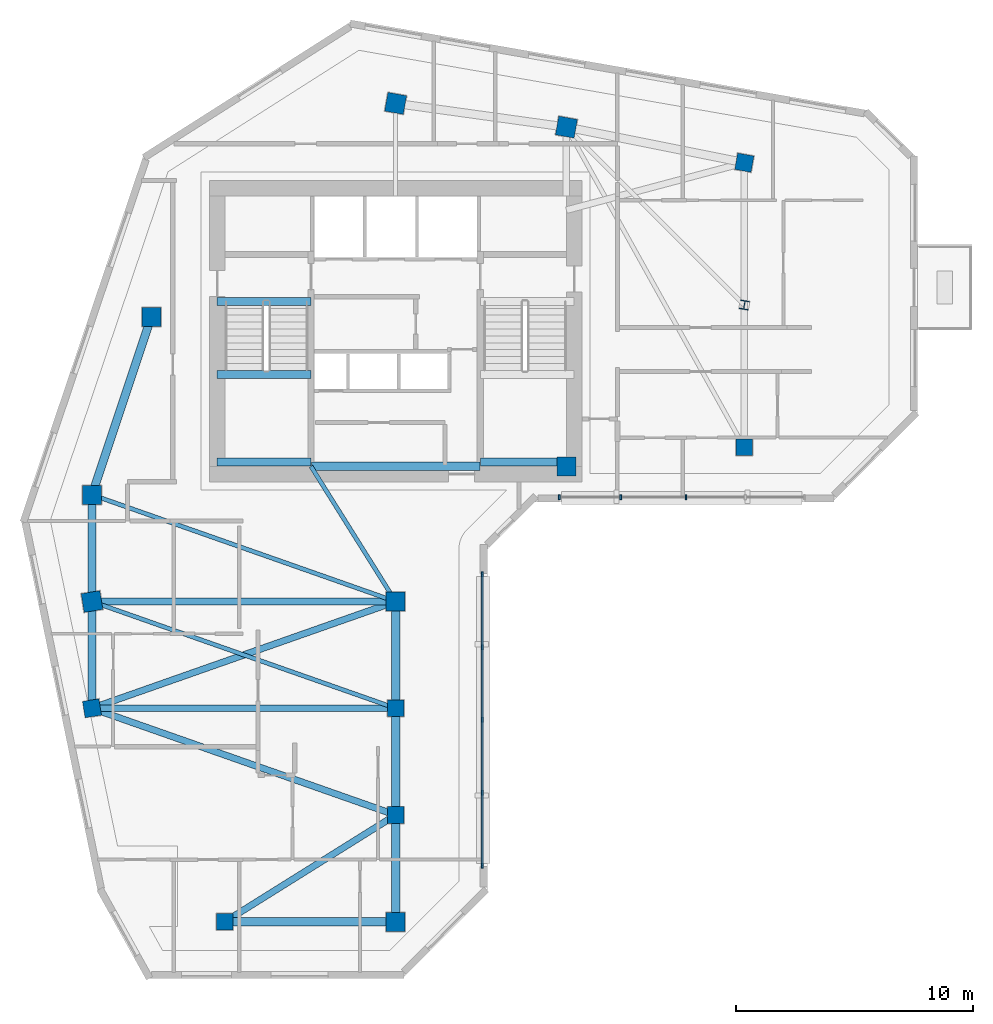
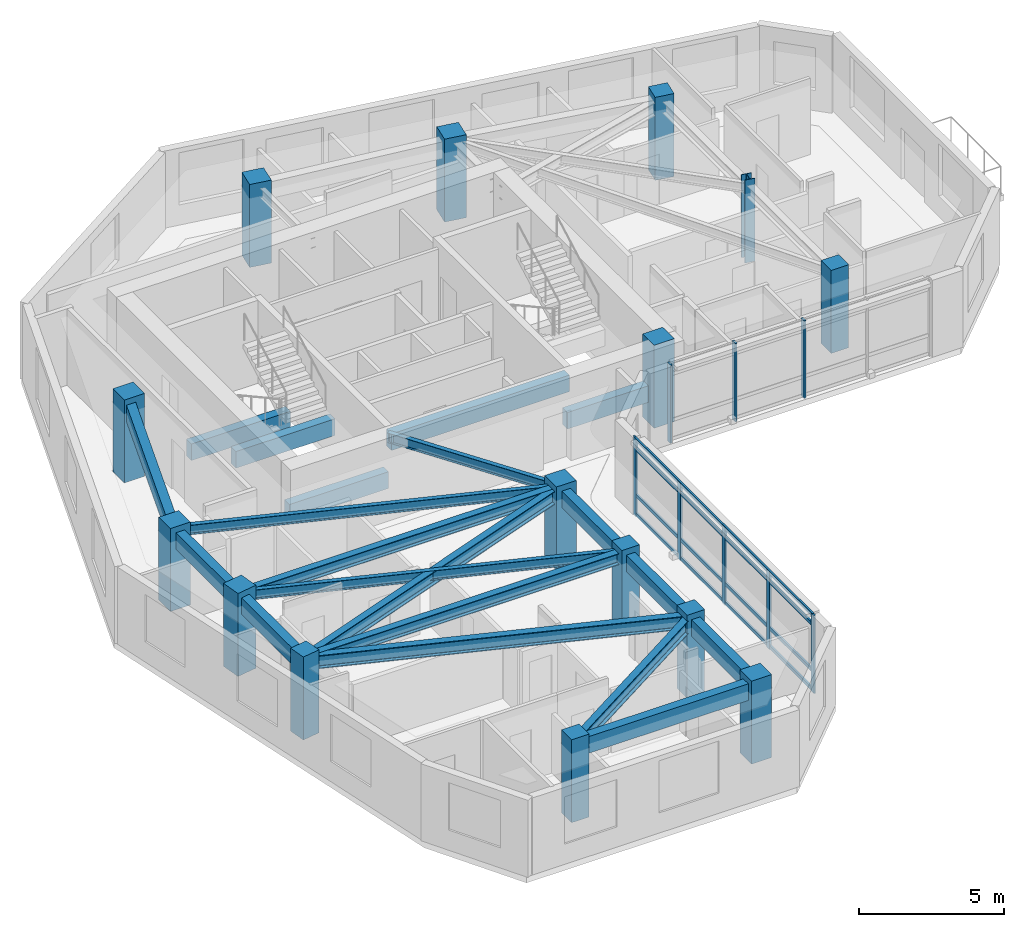
# One storey, part 1 of 10: 20 beams, 15 columns, 12 members, 2 elements without a shape of their own.
"""IFC4 building model written with IfcOpenShell, lengths in metres."""

import ifcopenshell
import ifcopenshell.guid

model = None  # the IFC model being written
_history = None  # IfcOwnerHistory: only IFC2X3 demands one
_inside = {}  # id of a spatial element -> (the spatial element, [elements in it])
_under = {}  # id of a project, library or spatial element -> (it, [spatial elements below it])
_declared = {}  # id of a project -> (the project, [libraries it declares])
_typed = {}  # id of a type object -> (the type object, [elements of that type])
_made_of = {}  # id of a material, layer set ... -> (it, [elements and type objects made of it])


def new_model(schema):
    """Start an empty IFC model of exactly this schema.

    Asked for "IFC4X3", IfcOpenShell would pick the latest addendum, in which some entities
    have other attributes; the version numbers below select the first issue.
    IFC2X3 requires an IfcOwnerHistory on every rooted entity: one is made here for all.
    """
    global model, _history
    if schema == "IFC4X3":
        model = ifcopenshell.file(schema_version=(4, 3, 0, 0))
    else:
        model = ifcopenshell.file(schema=schema)
    _inside.clear()
    _under.clear()
    _declared.clear()
    _typed.clear()
    _made_of.clear()
    _history = None
    if model.schema == "IFC2X3":
        org = make("IfcOrganization", Name="unknown")
        user = make(
            "IfcPersonAndOrganization",
            ThePerson=make("IfcPerson", FamilyName="unknown"),
            TheOrganization=org,
        )
        app = make(
            "IfcApplication",
            ApplicationDeveloper=org,
            Version="unknown",
            ApplicationFullName="unknown",
            ApplicationIdentifier="unknown",
        )
        _history = make(
            "IfcOwnerHistory",
            OwningUser=user,
            OwningApplication=app,
            ChangeAction="ADDED",
            CreationDate=0,
        )
    return model


def make(cls, **values):
    """One entity of the class cls with the attributes given. An attribute that is None is left unset."""
    return model.create_entity(
        cls, **{name: value for name, value in values.items() if value is not None}
    )


def rooted(cls, **values):
    """An entity with a GlobalId (a new one), such as an element, a storey or a relation."""
    return make(cls, GlobalId=ifcopenshell.guid.new(), OwnerHistory=_history, **values)


def si_unit(unit_type, name, prefix=None):
    """IfcSIUnit, for example si_unit("LENGTHUNIT", "METRE", prefix="MILLI")."""
    return make("IfcSIUnit", UnitType=unit_type, Prefix=prefix, Name=name)


def assignment(units):
    """IfcUnitAssignment: the units of a project."""
    return None if units is None else make("IfcUnitAssignment", Units=units)


def point(xyz):
    """IfcCartesianPoint."""
    return None if xyz is None else make("IfcCartesianPoint", Coordinates=xyz)


def direction(xyz):
    """IfcDirection."""
    return None if xyz is None else make("IfcDirection", DirectionRatios=xyz)


def frame(location, z_axis=None, x_axis=None):
    """IfcAxis2Placement3D, a coordinate frame: its origin and axes. An axis left out is left unset."""
    return make(
        "IfcAxis2Placement3D",
        Location=point(location),
        Axis=direction(z_axis),
        RefDirection=direction(x_axis),
    )


def frame_2d(location, x_axis=None):
    """IfcAxis2Placement2D, a coordinate frame in the plane: its origin and x axis."""
    return make(
        "IfcAxis2Placement2D", Location=point(location), RefDirection=direction(x_axis)
    )


def origin():
    """The frame at (0, 0, 0) with its axes left unset."""
    return frame((0.0, 0.0, 0.0))


def origin_2d():
    """The frame at (0, 0) in the plane with its x axis left unset."""
    return frame_2d((0.0, 0.0))


def place(relative_to, where):
    """IfcLocalPlacement: puts the frame where relative to a parent placement (None: the world)."""
    return make(
        "IfcLocalPlacement", PlacementRelTo=relative_to, RelativePlacement=where
    )


def context(
    kind, dimensions, precision=None, world=None, true_north=None, identifier=None
):
    """IfcGeometricRepresentationContext, for example the 3D "Model" context."""
    return make(
        "IfcGeometricRepresentationContext",
        ContextIdentifier=identifier,
        ContextType=kind,
        CoordinateSpaceDimension=dimensions,
        Precision=precision,
        WorldCoordinateSystem=world,
        TrueNorth=true_north,
    )


def subcontext(parent, identifier, kind, view, scale=None):
    """IfcGeometricRepresentationSubContext, for example "Body" below "Model"."""
    return make(
        "IfcGeometricRepresentationSubContext",
        ContextIdentifier=identifier,
        ContextType=kind,
        ParentContext=parent,
        TargetScale=scale,
        TargetView=view,
    )


def project(units=None, contexts=None):
    """IfcProject with its units and contexts."""
    return rooted(
        "IfcProject",
        Name="project",
        RepresentationContexts=contexts,
        UnitsInContext=assignment(units),
    )


def spatial(cls, under=None, at=None, **own):
    """A site, building, storey or space (cls), placed at a placement, below another one or the project."""
    s = rooted(cls, ObjectPlacement=at, **own)
    if under is not None:
        _under.setdefault(under.id(), (under, []))[1].append(s)
    return s


def profile(cls, at=None, kind="AREA", **sizes):
    """A parametric profile (cls). Its sizes go by their IFC names, for example OverallWidth=200.0."""
    return make(cls, ProfileType=kind, Position=at, **sizes)


def rectangle(**sizes):
    """IfcRectangleProfileDef."""
    return profile("IfcRectangleProfileDef", **sizes)


def i_section(**sizes):
    """IfcIShapeProfileDef."""
    return profile("IfcIShapeProfileDef", **sizes)


def extrude(swept, where, along, depth):
    """IfcExtrudedAreaSolid: the profile swept, set in the frame where, extruded along a direction by depth."""
    return make(
        "IfcExtrudedAreaSolid",
        SweptArea=swept,
        Position=where,
        ExtrudedDirection=direction(along),
        Depth=depth,
    )


def shape(context_of_items, identifier, shape_type, items):
    """IfcShapeRepresentation: the items that make up one representation, for example the "Body"."""
    return make(
        "IfcShapeRepresentation",
        ContextOfItems=context_of_items,
        RepresentationIdentifier=identifier,
        RepresentationType=shape_type,
        Items=items,
    )


def source(mapping_origin, context_of_items, identifier, shape_type, items):
    """IfcRepresentationMap: a shape defined once, which mapped items show again and again."""
    return make(
        "IfcRepresentationMap",
        MappingOrigin=mapping_origin,
        MappedRepresentation=shape(context_of_items, identifier, shape_type, items),
    )


def transform(
    local_origin,
    x_axis=None,
    y_axis=None,
    z_axis=None,
    scale=None,
    scale2=None,
    scale3=None,
    uniform=True,
):
    """IfcCartesianTransformationOperator3D, or its non-uniform kind. x_axis, y_axis, z_axis: its Axis1, 2, 3."""
    if uniform:
        return make(
            "IfcCartesianTransformationOperator3D",
            Axis1=direction(x_axis),
            Axis2=direction(y_axis),
            LocalOrigin=point(local_origin),
            Scale=scale,
            Axis3=direction(z_axis),
        )
    return make(
        "IfcCartesianTransformationOperator3DnonUniform",
        Axis1=direction(x_axis),
        Axis2=direction(y_axis),
        LocalOrigin=point(local_origin),
        Scale=scale,
        Axis3=direction(z_axis),
        Scale2=scale2,
        Scale3=scale3,
    )


def mapped(mapping_source, mapping_target):
    """IfcMappedItem: shows the shape of a source again, moved by a transform."""
    return make(
        "IfcMappedItem", MappingSource=mapping_source, MappingTarget=mapping_target
    )


def material(Name=None, Category=None):
    """IfcMaterial."""
    return make("IfcMaterial", Name=Name, Category=Category)


def material_profile(
    of_material, cross_section, Name=None, Category=None, Priority=None
):
    """IfcMaterialProfile: a cross section and its material."""
    return make(
        "IfcMaterialProfile",
        Name=Name,
        Material=of_material,
        Profile=cross_section,
        Priority=Priority,
        Category=Category,
    )


def profile_set(profiles, Name=None, composite=None):
    """IfcMaterialProfileSet."""
    return make(
        "IfcMaterialProfileSet",
        Name=Name,
        MaterialProfiles=profiles,
        CompositeProfile=composite,
    )


def made_of(thing, what):
    """Note that an element or type object is made of a material, layer set ...; save() writes the relation."""
    if what is not None:
        _made_of.setdefault(what.id(), (what, []))[1].append(thing)
    return thing


def type_object(cls, material=None, **own):
    """A type object (cls), such as IfcWallType, which elements share."""
    return made_of(rooted(cls, **own), material)


def element(
    cls,
    number,
    at=None,
    inside=None,
    cuts=None,
    type_object=None,
    material=None,
    context=None,
    identifier="Body",
    shape_type=None,
    held_by="IfcProductDefinitionShape",
    body=None,
    shapes=None,
    **own,
):
    """One element of the class cls, such as IfcWall. Its Tag is "e" and its number.

    at: its placement. inside: the storey or other place that contains it. cuts: it is an
    opening in that element (IfcRelVoidsElement). A single representation is given by context,
    identifier, shape_type and body (its items); several are given by shapes. held_by: the class
    of the entity that holds the representations. save() writes the other relations.
    """
    e = rooted(cls, Tag="e%d" % number, ObjectPlacement=at, **own)
    if body is not None:
        shapes = [shape(context, identifier, shape_type, body)]
    if shapes is not None:
        e.Representation = make(held_by, Representations=shapes)
    if inside is not None:
        _inside.setdefault(inside.id(), (inside, []))[1].append(e)
    if cuts is not None:
        rooted(
            "IfcRelVoidsElement", RelatingBuildingElement=cuts, RelatedOpeningElement=e
        )
    if type_object is not None:
        _typed.setdefault(type_object.id(), (type_object, []))[1].append(e)
    return made_of(e, material)


def aggregate(whole, parts):
    """IfcRelAggregates: a whole, such as a stair, and the parts it consists of."""
    return rooted("IfcRelAggregates", RelatingObject=whole, RelatedObjects=parts)


def save(model, path):
    """Write the relations noted so far, then the file.

    IfcRelAggregates (storeys below a building ...), IfcRelContainedInSpatialStructure (elements
    in a storey), IfcRelDefinesByType, IfcRelAssociatesMaterial and IfcRelDeclares: one each for
    every whole, place, type object, material and project.
    """
    for whole, parts in _under.values():
        aggregate(whole, parts)
    for where, things in _inside.values():
        rooted(
            "IfcRelContainedInSpatialStructure",
            RelatedElements=things,
            RelatingStructure=where,
        )
    for kind, things in _typed.values():
        rooted("IfcRelDefinesByType", RelatedObjects=things, RelatingType=kind)
    for what, things in _made_of.values():
        rooted("IfcRelAssociatesMaterial", RelatedObjects=things, RelatingMaterial=what)
    for by, libraries in _declared.values():
        rooted("IfcRelDeclares", RelatingContext=by, RelatedDefinitions=libraries)
    model.write(path)


model = new_model("IFC4")

# Units and contexts
model_context = context("Model", 3, precision=1e-05, world=origin(), true_north=direction((0.0, 1.0)))
body_context = subcontext(model_context, "Body", "Model", "MODEL_VIEW")
ifc_project = project(units=[si_unit("LENGTHUNIT", "METRE"), si_unit("AREAUNIT", "SQUARE_METRE"), si_unit("VOLUMEUNIT", "CUBIC_METRE"), si_unit("PLANEANGLEUNIT", "RADIAN"), si_unit("MASSUNIT", "GRAM", prefix="KILO")], contexts=[model_context])

# Site, building, storey
site_placement = place(None, origin())
site = spatial("IfcSite", under=ifc_project, at=site_placement, CompositionType="ELEMENT")
building_placement = place(site_placement, origin())
building = spatial("IfcBuilding", under=site, at=building_placement, Name="Calvemar Wedge Station Tower", CompositionType="ELEMENT")
storey_placement = place(building_placement, frame((0.0, 0.0, 214.89990234375)))
storey = spatial("IfcBuildingStorey", under=building, at=storey_placement, Name="L54", CompositionType="ELEMENT", Elevation=214.89990234375)

# Columns
ifc_material_1 = material(Name="Concrete C50", Category="concrete")
ifc_material_profile_1 = material_profile(ifc_material_1, rectangle(XDim=0.800048828125, YDim=0.800048828125, at=origin_2d()), Name="RC800x800")
ifc_profile_set_1 = profile_set([ifc_material_profile_1], Name="Concrete C50")
column_type_1 = type_object("IfcColumnType", Name="COL-C6-800", PredefinedType="COLUMN", material=ifc_profile_set_1)
shared_shape_1 = source(origin(), body_context, "Body", "SweptSolid", [
    extrude(rectangle(XDim=0.800048828125, YDim=0.800048828125, at=origin_2d()), origin(), (0.0, 0.0, 1.0), 3.5),
])
for number, where, z_axis, x_axis, name in (
    (1, (11.0, 33.0, 0.0), (0.0, 0.0, 1.0), (1.0, 0.0, 0.0), "Storey L54 Column T-NW1"),
    (2, (13.5, 40.5, 0.0), (0.0, 0.0, 1.0), (1.0, 0.0, 0.0), "Storey L54 Column T-NW2"),
    (3, (23.800048828125, 49.5, 0.0), (0.0, 0.0, 1.0), (0.984195607969, -0.17708474032, 0.0), "Storey L54 Column T-N1"),
    (4, (31.0, 48.5, 0.0), (0.0, 0.0, 1.0), (0.984195607969, -0.17708474032, 0.0), "Storey L54 Column T-N2"),
    (5, (31.0, 34.199951171875, 0.0), (0.0, 0.0, 1.0), (1.0, 0.0, 0.0), "Storey L54 Column T-NL1"),
    (6, (11.0, 28.5, 0.0), (0.0, 0.0, 1.0), (0.158158067254, -0.987413806751, 0.0), "Storey L54 Column T-SW1"),
    (7, (23.800048828125, 28.5, 0.0), (0.0, 0.0, 1.0), (1.0, 0.0, 0.0), "Storey L54 Column T-SE1"),
    (8, (23.800048828125, 15.0, 0.0), (0.0, 0.0, 1.0), (1.0, 0.0, 0.0), "Storey L54 Column T-SE4"),
):
    element("IfcColumn", number, at=place(storey_placement, frame(where, z_axis=z_axis, x_axis=x_axis)), inside=storey, type_object=column_type_1, Name=name, PredefinedType="COLUMN", context=body_context, shape_type="MappedRepresentation", body=[
        mapped(shared_shape_1, transform((0.0, 0.0, 0.0), scale=1.0)),
    ])
ifc_material_profile_2 = material_profile(ifc_material_1, rectangle(XDim=0.699951171875, YDim=0.699951171875, at=origin_2d()), Name="RC700x700")
ifc_profile_set_2 = profile_set([ifc_material_profile_2], Name="Concrete C50")
column_type_2 = type_object("IfcColumnType", Name="COL-C7-700", PredefinedType="COLUMN", material=ifc_profile_set_2)
shared_shape_2 = source(origin(), body_context, "Body", "SweptSolid", [
    extrude(rectangle(XDim=0.699951171875, YDim=0.699951171875, at=origin_2d()), origin(), (0.0, 0.0, 1.0), 3.5),
])
for number, where, z_axis, x_axis, name in (
    (9, (38.5, 47.0, 0.0), (0.0, 0.0, 1.0), (0.984195607969, -0.17708474032, 0.0), "Storey L54 Column T-NU3"),
    (10, (38.5, 35.0, 0.0), (0.0, 0.0, 1.0), (1.0, 0.0, 0.0), "Storey L54 Column T-NL2"),
    (11, (11.0, 24.0, 0.0), (0.0, 0.0, 1.0), (0.158158067254, -0.987413806751, 0.0), "Storey L54 Column T-SW2"),
    (12, (23.800048828125, 24.0, 0.0), (0.0, 0.0, 1.0), (1.0, 0.0, 0.0), "Storey L54 Column T-SE2"),
    (13, (23.800048828125, 19.5, 0.0), (0.0, 0.0, 1.0), (1.0, 0.0, 0.0), "Storey L54 Column T-SE3"),
    (14, (16.60009765625, 15.0, 0.0), (0.0, 0.0, 1.0), (1.0, 0.0, 0.0), "Storey L54 Column T-SM1"),
):
    element("IfcColumn", number, at=place(storey_placement, frame(where, z_axis=z_axis, x_axis=x_axis)), inside=storey, type_object=column_type_2, Name=name, PredefinedType="COLUMN", context=body_context, shape_type="MappedRepresentation", body=[
        mapped(shared_shape_2, transform((0.0, 0.0, 0.0), scale=1.0)),
    ])
ifc_material_2 = material(Name="Structural steel ASTM A572 Grade 50", Category="steel")
ifc_material_profile_3 = material_profile(ifc_material_2, i_section(OverallWidth=0.3740234375, OverallDepth=0.3720703125, WebThickness=0.016357421875, FlangeThickness=0.026123046875, FilletRadius=0.014892578125, at=origin_2d()), Name="W360x196")
ifc_profile_set_3 = profile_set([ifc_material_profile_3], Name="Structural steel ASTM A572 Grade 50")
column_type_3 = type_object("IfcColumnType", Name="COL-STL-W360", PredefinedType="COLUMN", material=ifc_profile_set_3)
shared_shape_3 = source(origin(), body_context, "Body", "SweptSolid", [
    extrude(i_section(OverallWidth=0.3740234375, OverallDepth=0.3720703125, WebThickness=0.016357421875, FlangeThickness=0.026123046875, FilletRadius=0.014892578125, at=origin_2d()), origin(), (0.0, 0.0, 1.0), 3.5),
])
column_placement = place(storey_placement, frame((38.5, 41.0, 0.0), z_axis=(0.0, 0.0, 1.0), x_axis=(0.984195607969, -0.17708474032, 0.0)))
element("IfcColumn", 15, at=column_placement, inside=storey, type_object=column_type_3, Name="Storey L54 Column T-NTIP-B", PredefinedType="COLUMN", context=body_context, shape_type="MappedRepresentation", body=[
    mapped(shared_shape_3, transform((0.0, 0.0, 0.0), scale=1.0)),
])

# Beams
ifc_material_profile_4 = material_profile(ifc_material_2, i_section(OverallWidth=0.177978515625, OverallDepth=0.406982421875, WebThickness=0.0078125, FlangeThickness=0.0126953125, FilletRadius=0.010009765625, at=origin_2d()), Name="W410x60")
ifc_profile_set_4 = profile_set([ifc_material_profile_4], Name="Structural steel ASTM A572 Grade 50")
beam_type_1 = type_object("IfcBeamType", Name="BM-J3-W410", PredefinedType="JOIST", material=ifc_profile_set_4)
shared_shape_4 = source(origin(), body_context, "Body", "SweptSolid", [
    extrude(i_section(OverallWidth=0.177978515625, OverallDepth=0.406982421875, WebThickness=0.0078125, FlangeThickness=0.0126953125, FilletRadius=0.010009765625, at=origin_2d()), origin(), (0.0, 0.0, 1.0), 13.568115234375),
])
for number, where, z_axis, x_axis, name in (
    (16, (11.0, 33.0, 3.046630859375), (0.943398221169, -0.331662171939, 0.0), (0.331662171939, 0.943398221169, 0.0), "Storey L54 Floor Beam T-NW1-T-SE1"),
    (17, (11.0, 28.5, 3.046630859375), (0.943398221169, -0.331662171939, 0.0), (0.331662171939, 0.943398221169, 0.0), "Storey L54 Floor Beam T-SW1-T-SE2"),
):
    element("IfcBeam", number, at=place(storey_placement, frame(where, z_axis=z_axis, x_axis=x_axis)), inside=storey, type_object=beam_type_1, Name=name, PredefinedType="JOIST", context=body_context, shape_type="MappedRepresentation", body=[
        mapped(shared_shape_4, transform((0.0, 0.0, 0.0), scale=1.0)),
    ])
ifc_material_profile_5 = material_profile(ifc_material_2, i_section(OverallWidth=0.279052734375, OverallDepth=0.553955078125, WebThickness=0.017578125, FlangeThickness=0.029541015625, FilletRadius=0.014892578125, at=origin_2d()), Name="W530x196")
ifc_profile_set_5 = profile_set([ifc_material_profile_5], Name="Structural steel ASTM A572 Grade 50")
beam_type_2 = type_object("IfcBeamType", Name="BM-SB3-W530H", PredefinedType="BEAM", material=ifc_profile_set_5)
shared_shape_5 = source(origin(), body_context, "Body", "SweptSolid", [
    extrude(i_section(OverallWidth=0.279052734375, OverallDepth=0.553955078125, WebThickness=0.017578125, FlangeThickness=0.029541015625, FilletRadius=0.014892578125, at=origin_2d()), origin(), (0.0, 0.0, 1.0), 13.568115234375),
])
for number, where, z_axis, x_axis, name in (
    (18, (23.800048828125, 28.5, 2.97314453125), (-0.943398221169, -0.331662171939, 0.0), (0.331662171939, -0.943398221169, 0.0), "Storey L54 Floor Beam T-SE1-T-SW2"),
    (19, (11.0, 24.0, 2.97314453125), (0.943398221169, -0.331662171939, 0.0), (0.331662171939, 0.943398221169, 0.0), "Storey L54 Floor Beam T-SW2-T-SE3"),
):
    element("IfcBeam", number, at=place(storey_placement, frame(where, z_axis=z_axis, x_axis=x_axis)), inside=storey, type_object=beam_type_2, Name=name, PredefinedType="BEAM", context=body_context, shape_type="MappedRepresentation", body=[
        mapped(shared_shape_5, transform((0.0, 0.0, 0.0), scale=1.0)),
    ])
shared_shape_6 = source(origin(), body_context, "Body", "SweptSolid", [
    extrude(i_section(OverallWidth=0.279052734375, OverallDepth=0.553955078125, WebThickness=0.017578125, FlangeThickness=0.029541015625, FilletRadius=0.014892578125, at=origin_2d()), origin(), (0.0, 0.0, 1.0), 8.490478515625),
])
beam_1_placement = place(storey_placement, frame((23.800048828125, 19.5, 2.97314453125), z_axis=(-0.847996688584, -0.530001524668, 0.0), x_axis=(0.530001524668, -0.847996688584, 0.0)))
element("IfcBeam", 20, at=beam_1_placement, inside=storey, type_object=beam_type_2, Name="Storey L54 Floor Beam T-SE3-T-SM1", PredefinedType="BEAM", context=body_context, shape_type="MappedRepresentation", body=[
    mapped(shared_shape_6, transform((0.0, 0.0, 0.0), scale=1.0)),
])
shared_shape_7 = source(origin(), body_context, "Body", "SweptSolid", [
    extrude(i_section(OverallWidth=0.177978515625, OverallDepth=0.406982421875, WebThickness=0.0078125, FlangeThickness=0.0126953125, FilletRadius=0.010009765625, at=origin_2d()), origin(), (0.0, 0.0, 1.0), 6.7255859375),
])
beam_2_placement = place(storey_placement, frame((20.22998046875, 34.199951171875, 3.046630859375), z_axis=(0.530811158438, -0.847490126242, 0.0), x_axis=(0.847490126242, 0.530811158438, 0.0)))
element("IfcBeam", 21, at=beam_2_placement, inside=storey, type_object=beam_type_1, Name="Storey L54 Core-to-Column Joist CJ-S2", PredefinedType="JOIST", context=body_context, shape_type="MappedRepresentation", body=[
    mapped(shared_shape_7, transform((0.0, 0.0, 0.0), scale=1.0)),
])
ifc_material_3 = material(Name="Concrete C70", Category="concrete")
ifc_material_profile_6 = material_profile(ifc_material_3, rectangle(XDim=0.35009765625, YDim=0.699951171875, at=origin_2d()), Name="RC350x700")
ifc_profile_set_6 = profile_set([ifc_material_profile_6], Name="Concrete C70")
beam_type_3 = type_object("IfcBeamType", Name="BM-LN1-700", PredefinedType="LINTEL", material=ifc_profile_set_6)
shared_shape_8 = source(origin(), body_context, "Body", "SweptSolid", [
    extrude(rectangle(XDim=0.35009765625, YDim=0.699951171875, at=origin_2d()), origin(), (0.0, 0.0, 1.0), 7.10009765625),
])
beam_3_placement = place(storey_placement, frame((20.25, 34.199951171875, 2.900146484375), z_axis=(1.0, 0.0, 0.0), x_axis=(0.0, 1.0, 0.0)))
element("IfcBeam", 22, at=beam_3_placement, inside=storey, type_object=beam_type_3, Name="Storey L54 Core Coupling Lintel South", PredefinedType="LINTEL", context=body_context, shape_type="MappedRepresentation", body=[
    mapped(shared_shape_8, transform((0.0, 0.0, 0.0), scale=1.0)),
])
shared_shape_9 = source(origin(), body_context, "Body", "SweptSolid", [
    extrude(rectangle(XDim=0.35009765625, YDim=0.699951171875, at=origin_2d()), origin(), (0.0, 0.0, 1.0), 3.955078125),
])
for number, where, z_axis, x_axis, name in (
    (23, (16.27490234375, 41.14990234375, -0.349853515625), (1.0, 0.0, 0.0), (0.0, 1.0, 0.0), "Storey L54 Stair ST-C1 Landing Trimmer Beam"),
    (24, (16.27490234375, 34.3798828125, 1.2001953125), (1.0, 0.0, 0.0), (0.0, 1.0, 0.0), "Storey L54 Stair ST-C1 Half-Landing Beam 1A"),
    (25, (16.27490234375, 38.070068359375, 1.2001953125), (1.0, 0.0, 0.0), (0.0, 1.0, 0.0), "Storey L54 Stair ST-C1 Half-Landing Beam 1B"),
):
    element("IfcBeam", number, at=place(storey_placement, frame(where, z_axis=z_axis, x_axis=x_axis)), inside=storey, type_object=beam_type_3, Name=name, PredefinedType="LINTEL", context=body_context, shape_type="MappedRepresentation", body=[
        mapped(shared_shape_9, transform((0.0, 0.0, 0.0), scale=1.0)),
    ])
shared_shape_10 = source(origin(), body_context, "Body", "SweptSolid", [
    extrude(rectangle(XDim=0.35009765625, YDim=0.699951171875, at=origin_2d()), origin(), (0.0, 0.0, 1.0), 3.954833984375),
])
beam_4_placement = place(storey_placement, frame((27.3701171875, 34.3798828125, 1.2001953125), z_axis=(1.0, 0.0, 0.0), x_axis=(0.0, 1.0, 0.0)))
element("IfcBeam", 26, at=beam_4_placement, inside=storey, type_object=beam_type_3, Name="Storey L54 Stair ST-C2 Half-Landing Beam 1A", PredefinedType="LINTEL", context=body_context, shape_type="MappedRepresentation", body=[
    mapped(shared_shape_10, transform((0.0, 0.0, 0.0), scale=1.0)),
])
ifc_material_profile_7 = material_profile(ifc_material_1, rectangle(XDim=0.35009765625, YDim=0.699951171875, at=origin_2d()), Name="RC350x700")
ifc_profile_set_7 = profile_set([ifc_material_profile_7], Name="Concrete C50")
beam_type_4 = type_object("IfcBeamType", Name="BM-SP2-700", PredefinedType="SPANDREL", material=ifc_profile_set_7)
shared_shape_11 = source(origin(), body_context, "Body", "SweptSolid", [
    extrude(rectangle(XDim=0.35009765625, YDim=0.699951171875, at=origin_2d()), origin(), (0.0, 0.0, 1.0), 7.90576171875),
])
beam_5_placement = place(storey_placement, frame((11.0, 33.0, 2.900146484375), z_axis=(0.316227766017, 0.948683298051, 0.0), x_axis=(-0.948683298051, 0.316227766017, 0.0)))
element("IfcBeam", 27, at=beam_5_placement, inside=storey, type_object=beam_type_4, Name="Storey L54 Spandrel T-NW1-T-NW2", PredefinedType="SPANDREL", context=body_context, shape_type="MappedRepresentation", body=[
    mapped(shared_shape_11, transform((0.0, 0.0, 0.0), scale=1.0)),
])
shared_shape_12 = source(origin(), body_context, "Body", "SweptSolid", [
    extrude(rectangle(XDim=0.35009765625, YDim=0.699951171875, at=origin_2d()), origin(), (0.0, 0.0, 1.0), 4.5),
])
for number, where, z_axis, x_axis, name in (
    (28, (11.0, 33.0, 2.900146484375), (0.0, -1.0, 0.0), (1.0, 0.0, 0.0), "Storey L54 Spandrel T-NW1-T-SW1"),
    (29, (11.0, 28.5, 2.900146484375), (0.0, -1.0, 0.0), (1.0, 0.0, 0.0), "Storey L54 Spandrel T-SW1-T-SW2"),
    (30, (23.800048828125, 28.5, 2.900146484375), (0.0, -1.0, 0.0), (1.0, 0.0, 0.0), "Storey L54 Spandrel T-SE1-T-SE2"),
    (31, (23.800048828125, 24.0, 2.900146484375), (0.0, -1.0, 0.0), (1.0, 0.0, 0.0), "Storey L54 Spandrel T-SE2-T-SE3"),
    (32, (23.800048828125, 19.5, 2.900146484375), (0.0, -1.0, 0.0), (1.0, 0.0, 0.0), "Storey L54 Spandrel T-SE3-T-SE4"),
):
    element("IfcBeam", number, at=place(storey_placement, frame(where, z_axis=z_axis, x_axis=x_axis)), inside=storey, type_object=beam_type_4, Name=name, PredefinedType="SPANDREL", context=body_context, shape_type="MappedRepresentation", body=[
        mapped(shared_shape_12, transform((0.0, 0.0, 0.0), scale=1.0)),
    ])
shared_shape_13 = source(origin(), body_context, "Body", "SweptSolid", [
    extrude(rectangle(XDim=0.35009765625, YDim=0.699951171875, at=origin_2d()), origin(), (0.0, 0.0, 1.0), 7.199951171875),
])
beam_6_placement = place(storey_placement, frame((16.60009765625, 15.0, 2.900146484375), z_axis=(1.0, 0.0, 0.0), x_axis=(0.0, 1.0, 0.0)))
element("IfcBeam", 33, at=beam_6_placement, inside=storey, type_object=beam_type_4, Name="Storey L54 Spandrel T-SM1-T-SE4", PredefinedType="SPANDREL", context=body_context, shape_type="MappedRepresentation", body=[
    mapped(shared_shape_13, transform((0.0, 0.0, 0.0), scale=1.0)),
])
ifc_material_profile_8 = material_profile(ifc_material_2, i_section(OverallWidth=0.283935546875, OverallDepth=0.47607421875, WebThickness=0.014892578125, FlangeThickness=0.02392578125, FilletRadius=0.014892578125, at=origin_2d()), Name="W460x158")
ifc_profile_set_8 = profile_set([ifc_material_profile_8], Name="Structural steel ASTM A572 Grade 50")
beam_type_5 = type_object("IfcBeamType", Name="BM-SB5-W460H", PredefinedType="BEAM", material=ifc_profile_set_8)
shared_shape_14 = source(origin(), body_context, "Body", "SweptSolid", [
    extrude(i_section(OverallWidth=0.283935546875, OverallDepth=0.47607421875, WebThickness=0.014892578125, FlangeThickness=0.02392578125, FilletRadius=0.014892578125, at=origin_2d()), origin(), (0.0, 0.0, 1.0), 12.800048828125),
])
for number, where, z_axis, x_axis, name in (
    (34, (11.0, 28.5, 3.01220703125), (1.0, 0.0, 0.0), (0.0, 1.0, 0.0), "Storey L54 Floor Beam T-SW1-T-SE1"),
    (35, (11.0, 24.0, 3.01220703125), (1.0, 0.0, 0.0), (0.0, 1.0, 0.0), "Storey L54 Floor Beam T-SW2-T-SE2"),
):
    element("IfcBeam", number, at=place(storey_placement, frame(where, z_axis=z_axis, x_axis=x_axis)), inside=storey, type_object=beam_type_5, Name=name, PredefinedType="BEAM", context=body_context, shape_type="MappedRepresentation", body=[
        mapped(shared_shape_14, transform((0.0, 0.0, 0.0), scale=1.0)),
    ])

# Curtain wall, members
ifc_material_4 = material(Name="Anodised aluminium 6063-T6", Category="aluminium")
curtain_wall_type = type_object("IfcCurtainWallType", Name="CW3", PredefinedType="NOTDEFINED", material=ifc_material_4)
curtain_wall_1_placement = place(storey_placement, origin())
curtain_wall_1 = element("IfcCurtainWall", 36, at=curtain_wall_1_placement, inside=storey, type_object=curtain_wall_type, Name="Storey L54 CW3 Recessed Unitised Curtain Wall 4", PredefinedType="NOTDEFINED")
ifc_material_profile_9 = material_profile(ifc_material_4, rectangle(XDim=0.074951171875, YDim=0.2099609375, at=origin_2d()), Name="AL-MUL-75x210")
ifc_profile_set_9 = profile_set([ifc_material_profile_9], Name="Anodised aluminium 6063-T6")
member_type_1 = type_object("IfcMemberType", Name="CW3-MUL", PredefinedType="MULLION", material=ifc_profile_set_9)
shared_shape_15 = source(origin(), body_context, "Body", "SweptSolid", [
    extrude(rectangle(XDim=0.074951171875, YDim=0.2099609375, at=origin_2d()), origin(), (0.0, 0.0, 1.0), 3.2998046875),
])
member_1_placement = place(storey_placement, frame((27.4541015625, 17.362060546875, -0.0498046875), z_axis=(0.0, 0.0, 1.0), x_axis=(1.0, 0.0, 0.0)))
member_1 = element("IfcMember", 37, at=member_1_placement, type_object=member_type_1, Name="CW3 mullion 1", PredefinedType="MULLION", context=body_context, shape_type="MappedRepresentation", body=[
    mapped(shared_shape_15, transform((0.0, 0.0, 0.0), scale=1.0)),
])
member_2_placement = place(storey_placement, frame((27.4541015625, 20.43505859375, -0.0498046875), z_axis=(0.0, 0.0, 1.0), x_axis=(1.0, 0.0, 0.0)))
member_2 = element("IfcMember", 38, at=member_2_placement, type_object=member_type_1, Name="CW3 mullion 2", PredefinedType="MULLION", context=body_context, shape_type="MappedRepresentation", body=[
    mapped(shared_shape_15, transform((0.0, 0.0, 0.0), scale=1.0)),
])
member_3_placement = place(storey_placement, frame((27.4541015625, 23.508056640625, -0.0498046875), z_axis=(0.0, 0.0, 1.0), x_axis=(1.0, 0.0, 0.0)))
member_3 = element("IfcMember", 39, at=member_3_placement, type_object=member_type_1, Name="CW3 mullion 3", PredefinedType="MULLION", context=body_context, shape_type="MappedRepresentation", body=[
    mapped(shared_shape_15, transform((0.0, 0.0, 0.0), scale=1.0)),
])
member_4_placement = place(storey_placement, frame((27.4541015625, 26.5810546875, -0.0498046875), z_axis=(0.0, 0.0, 1.0), x_axis=(1.0, 0.0, 0.0)))
member_4 = element("IfcMember", 40, at=member_4_placement, type_object=member_type_1, Name="CW3 mullion 4", PredefinedType="MULLION", context=body_context, shape_type="MappedRepresentation", body=[
    mapped(shared_shape_15, transform((0.0, 0.0, 0.0), scale=1.0)),
])
member_5_placement = place(storey_placement, frame((27.4541015625, 29.654052734375, -0.0498046875), z_axis=(0.0, 0.0, 1.0), x_axis=(1.0, 0.0, 0.0)))
member_5 = element("IfcMember", 41, at=member_5_placement, type_object=member_type_1, Name="CW3 mullion 5", PredefinedType="MULLION", context=body_context, shape_type="MappedRepresentation", body=[
    mapped(shared_shape_15, transform((0.0, 0.0, 0.0), scale=1.0)),
])

curtain_wall_2_placement = place(storey_placement, origin())
curtain_wall_2 = element("IfcCurtainWall", 42, at=curtain_wall_2_placement, inside=storey, type_object=curtain_wall_type, Name="Storey L54 CW3 Recessed Unitised Curtain Wall 6", PredefinedType="NOTDEFINED")
member_6_placement = place(storey_placement, frame((30.701904296875, 32.902099609375, -0.0498046875), z_axis=(0.0, 0.0, 1.0), x_axis=(1.0, 0.0, 0.0)))
member_6 = element("IfcMember", 43, at=member_6_placement, type_object=member_type_1, Name="CW3 mullion 1", PredefinedType="MULLION", context=body_context, shape_type="MappedRepresentation", body=[
    mapped(shared_shape_15, transform((0.0, 0.0, 0.0), scale=1.0)),
])
member_7_placement = place(storey_placement, frame((33.2900390625, 32.902099609375, -0.0498046875), z_axis=(0.0, 0.0, 1.0), x_axis=(1.0, 0.0, 0.0)))
member_7 = element("IfcMember", 44, at=member_7_placement, type_object=member_type_1, Name="CW3 mullion 2", PredefinedType="MULLION", context=body_context, shape_type="MappedRepresentation", body=[
    mapped(shared_shape_15, transform((0.0, 0.0, 0.0), scale=1.0)),
])
member_8_placement = place(storey_placement, frame((36.0400390625, 32.902099609375, -0.0498046875), z_axis=(0.0, 0.0, 1.0), x_axis=(1.0, 0.0, 0.0)))
member_8 = element("IfcMember", 45, at=member_8_placement, type_object=member_type_1, Name="CW3 mullion 3", PredefinedType="MULLION", context=body_context, shape_type="MappedRepresentation", body=[
    mapped(shared_shape_15, transform((0.0, 0.0, 0.0), scale=1.0)),
])
aggregate(curtain_wall_2, [member_6, member_7, member_8])

# Member
ifc_material_profile_10 = material_profile(ifc_material_4, rectangle(XDim=0.074951171875, YDim=0.14501953125, at=origin_2d()), Name="AL-TRN-75x145")
ifc_profile_set_10 = profile_set([ifc_material_profile_10], Name="Anodised aluminium 6063-T6")
member_type_2 = type_object("IfcMemberType", Name="CW3-TRN", PredefinedType="USERDEFINED", material=ifc_profile_set_10)
shared_shape_16 = source(origin(), body_context, "Body", "SweptSolid", [
    extrude(rectangle(XDim=0.074951171875, YDim=0.14501953125, at=origin_2d()), origin(), (0.0, 0.0, 1.0), 12.2919921875),
])
member_9_placement = place(storey_placement, frame((27.4541015625, 17.362060546875, 0.06005859375), z_axis=(0.0, 1.0, 0.0), x_axis=(-1.0, 0.0, 0.0)))
member_9 = element("IfcMember", 46, at=member_9_placement, type_object=member_type_2, Name="CW3 transom 1", ObjectType="TRANSOM", PredefinedType="USERDEFINED", context=body_context, shape_type="MappedRepresentation", body=[
    mapped(shared_shape_16, transform((0.0, 0.0, 0.0), scale=1.0)),
])

member_10_placement = place(storey_placement, frame((27.4541015625, 17.362060546875, 0.85009765625), z_axis=(0.0, 1.0, 0.0), x_axis=(-1.0, 0.0, 0.0)))
member_10 = element("IfcMember", 47, at=member_10_placement, type_object=member_type_2, Name="CW3 transom 2", ObjectType="TRANSOM", PredefinedType="USERDEFINED", context=body_context, shape_type="MappedRepresentation", body=[
    mapped(shared_shape_16, transform((0.0, 0.0, 0.0), scale=1.0)),
])

member_11_placement = place(storey_placement, frame((27.4541015625, 17.362060546875, 2.800048828125), z_axis=(0.0, 1.0, 0.0), x_axis=(-1.0, 0.0, 0.0)))
member_11 = element("IfcMember", 48, at=member_11_placement, type_object=member_type_2, Name="CW3 transom 3", ObjectType="TRANSOM", PredefinedType="USERDEFINED", context=body_context, shape_type="MappedRepresentation", body=[
    mapped(shared_shape_16, transform((0.0, 0.0, 0.0), scale=1.0)),
])

member_12_placement = place(storey_placement, frame((27.4541015625, 17.362060546875, 3.190185546875), z_axis=(0.0, 1.0, 0.0), x_axis=(-1.0, 0.0, 0.0)))
member_12 = element("IfcMember", 49, at=member_12_placement, type_object=member_type_2, Name="CW3 transom 4", ObjectType="TRANSOM", PredefinedType="USERDEFINED", context=body_context, shape_type="MappedRepresentation", body=[
    mapped(shared_shape_16, transform((0.0, 0.0, 0.0), scale=1.0)),
])

aggregate(curtain_wall_1, [member_1, member_2, member_3, member_4, member_5, member_9, member_10, member_11, member_12])

save(model, "model.ifc")
